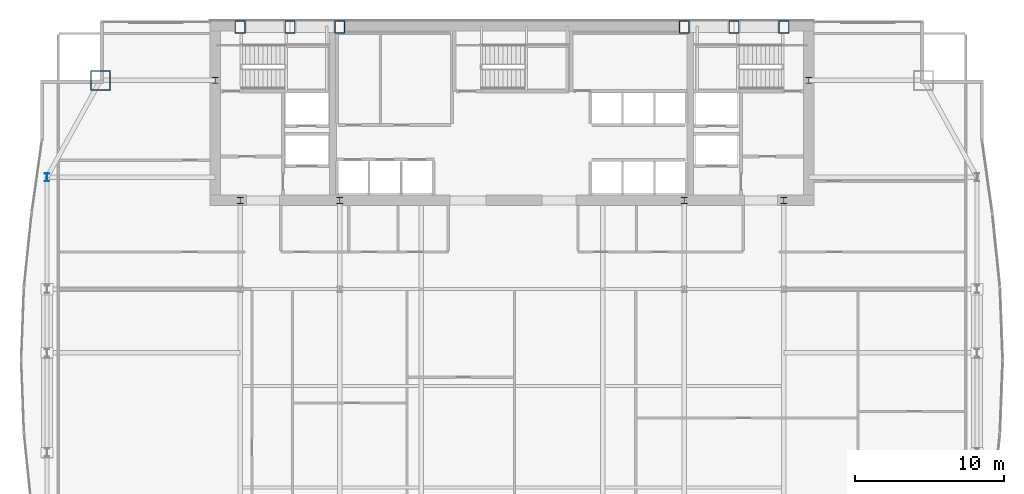
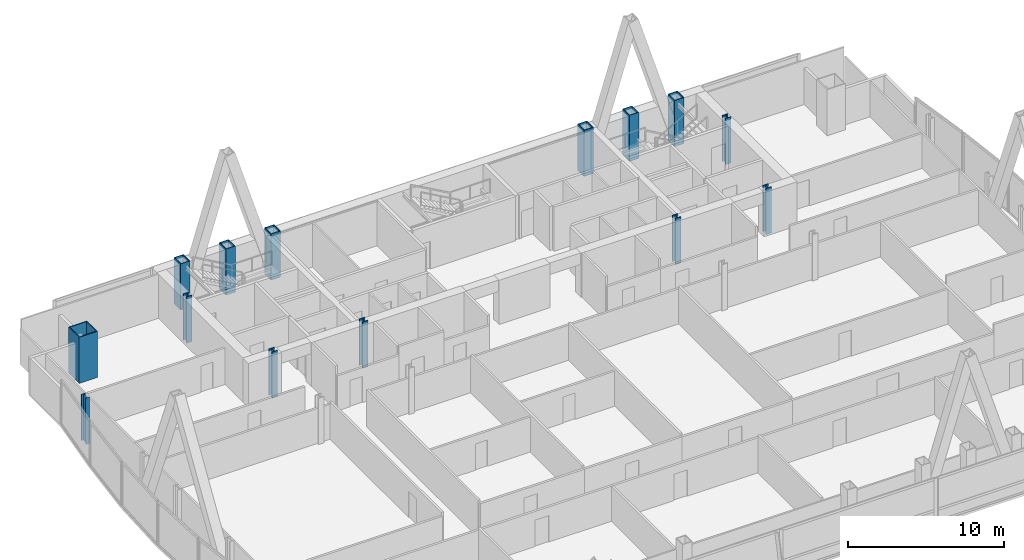
# One storey, part 3 of 30: 14 columns.
"""IFC4 building model written with IfcOpenShell, lengths in metres."""

from ifc_helpers import new_model, si_unit, direction, frame, origin, origin_2d, place, context, subcontext, project, spatial, hollow_rectangle, i_section, extrude, material, material_profile, profile_set, type_object, element, save


model = new_model("IFC4")

# Units and contexts
model_context = context("Model", 3, precision=1e-05, world=origin(), true_north=direction((0.0, 1.0)))
body_context = subcontext(model_context, "Body", "Model", "MODEL_VIEW")
ifc_project = project(units=[si_unit("LENGTHUNIT", "METRE"), si_unit("AREAUNIT", "SQUARE_METRE"), si_unit("VOLUMEUNIT", "CUBIC_METRE"), si_unit("PLANEANGLEUNIT", "RADIAN"), si_unit("MASSUNIT", "GRAM", prefix="KILO")], contexts=[model_context])

# Site, building, storey
site_placement = place(None, origin())
site = spatial("IfcSite", under=ifc_project, at=site_placement, CompositionType="ELEMENT")
building_placement = place(site_placement, origin())
building = spatial("IfcBuilding", under=site, at=building_placement, Name="Khoronbel Lancet Exchange", CompositionType="ELEMENT")
storey_placement = place(building_placement, frame((0.0, 0.0, 147.0)))
storey = spatial("IfcBuildingStorey", under=building, at=storey_placement, Name="L36", CompositionType="ELEMENT", Elevation=147.0)

# Columns
ifc_material_1 = material(Name="Steel S460", Category="steel")
ifc_material_profile_1 = material_profile(ifc_material_1, hollow_rectangle(XDim=0.699951171875, YDim=0.85009765625, WallThickness=0.050048828125, at=origin_2d()), Name="BOX 850x700x50")
ifc_profile_set_1 = profile_set([ifc_material_profile_1], Name="Steel S460")
column_type_1 = type_object("IfcColumnType", Name="COL-EC2", PredefinedType="COLUMN", material=ifc_profile_set_1)
for number, where, z_axis, x_axis, name in (
    (1, (18.22509765625, 53.280029296875, 0.0), (0.0, 0.0, 1.0), (1.0, 0.0, 0.0), "Structural column NC-W1 L36"),
    (2, (21.5625, 53.280029296875, 0.0), (0.0, 0.0, 1.0), (1.0, 0.0, 0.0), "Structural column NC-WM L36"),
    (3, (24.89990234375, 53.280029296875, 0.0), (0.0, 0.0, 1.0), (1.0, 0.0, 0.0), "Structural column NC-W2 L36"),
    (4, (48.0, 53.280029296875, 0.0), (0.0, 0.0, 1.0), (1.0, 0.0, 0.0), "Structural column NC-E1 L36"),
    (5, (51.33740234375, 53.280029296875, 0.0), (0.0, 0.0, 1.0), (1.0, 0.0, 0.0), "Structural column NC-EM L36"),
    (6, (54.675048828125, 53.280029296875, 0.0), (0.0, 0.0, 1.0), (1.0, 0.0, 0.0), "Structural column NC-E2 L36"),
):
    element("IfcColumn", number, at=place(storey_placement, frame(where, z_axis=z_axis, x_axis=x_axis)), inside=storey, type_object=column_type_1, Name=name, PredefinedType="COLUMN", context=body_context, shape_type="SweptSolid", body=[
        extrude(hollow_rectangle(XDim=0.699951171875, YDim=0.85009765625, WallThickness=0.050048828125, at=origin_2d()), origin(), (0.0, 0.0, 1.0), 3.60009765625),
    ])
ifc_material_profile_2 = material_profile(ifc_material_1, i_section(OverallWidth=0.416015625, OverallDepth=0.446044921875, WebThickness=0.0390625, FlangeThickness=0.062744140625, at=origin_2d()), Name="HD 400x509")
ifc_profile_set_2 = profile_set([ifc_material_profile_2], Name="Steel S460")
column_type_2 = type_object("IfcColumnType", Name="COL-IC2", PredefinedType="COLUMN", material=ifc_profile_set_2)
for number, where, z_axis, x_axis, name in (
    (7, (16.550048828125, 49.699951171875, 0.0), (0.0, 0.0, 1.0), (1.0, 0.0, 0.0), "Core-flank plumb transfer column CFW L36"),
    (8, (56.35009765625, 49.699951171875, 0.0), (0.0, 0.0, 1.0), (1.0, 0.0, 0.0), "Core-flank plumb transfer column CFE L36"),
    (9, (18.22509765625, 41.64990234375, 0.0), (0.0, 0.0, 1.0), (1.0, 0.0, 0.0), "Core-embedded steel column CTC1 L36"),
    (10, (24.89990234375, 41.64990234375, 0.0), (0.0, 0.0, 1.0), (1.0, 0.0, 0.0), "Core-embedded steel column CTC2 L36"),
    (11, (48.0, 41.64990234375, 0.0), (0.0, 0.0, 1.0), (1.0, 0.0, 0.0), "Core-embedded steel column CTC3 L36"),
    (12, (54.675048828125, 41.64990234375, 0.0), (0.0, 0.0, 1.0), (1.0, 0.0, 0.0), "Core-embedded steel column CTC4 L36"),
):
    element("IfcColumn", number, at=place(storey_placement, frame(where, z_axis=z_axis, x_axis=x_axis)), inside=storey, type_object=column_type_2, Name=name, PredefinedType="COLUMN", context=body_context, shape_type="SweptSolid", body=[
        extrude(i_section(OverallWidth=0.416015625, OverallDepth=0.446044921875, WebThickness=0.0390625, FlangeThickness=0.062744140625, at=origin_2d()), origin(), (0.0, 0.0, 1.0), 3.60009765625),
    ])
ifc_material_2 = material(Name="Steel S355", Category="steel")
ifc_material_profile_3 = material_profile(ifc_material_2, i_section(OverallWidth=0.300048828125, OverallDepth=0.550048828125, WebThickness=0.014892578125, FlangeThickness=0.029052734375, at=origin_2d()), Name="HEB 550")
ifc_profile_set_3 = profile_set([ifc_material_profile_3], Name="Steel S355")
column_type_3 = type_object("IfcColumnType", Name="COL-LC1", PredefinedType="COLUMN", material=ifc_profile_set_3)
column_1_placement = place(storey_placement, frame((5.27001953125, 43.199951171875, 0.0), z_axis=(0.0, 0.0, 1.0), x_axis=(1.0, 0.0, 0.0)))
element("IfcColumn", 13, at=column_1_placement, inside=storey, type_object=column_type_3, Name="Structural column WC-4 L36", PredefinedType="COLUMN", context=body_context, shape_type="SweptSolid", body=[
    extrude(i_section(OverallWidth=0.300048828125, OverallDepth=0.550048828125, WebThickness=0.014892578125, FlangeThickness=0.029052734375, at=origin_2d()), origin(), (0.0, 0.0, 1.0), 3.60009765625),
])
ifc_material_profile_4 = material_profile(ifc_material_1, hollow_rectangle(XDim=1.35009765625, YDim=1.35009765625, WallThickness=0.06494140625, at=origin_2d()), Name="BOX 1350x1350x65")
ifc_profile_set_4 = profile_set([ifc_material_profile_4], Name="Steel S460")
column_type_4 = type_object("IfcColumnType", Name="COL-MC4", PredefinedType="COLUMN", material=ifc_profile_set_4)
column_2_placement = place(storey_placement, frame((8.85009765625, 49.699951171875, 0.0), z_axis=(0.0, 0.0, 1.0), x_axis=(1.0, 0.0, 0.0)))
element("IfcColumn", 14, at=column_2_placement, inside=storey, type_object=column_type_4, Name="Structural column MC-NW L36", PredefinedType="COLUMN", context=body_context, shape_type="SweptSolid", body=[
    extrude(hollow_rectangle(XDim=1.35009765625, YDim=1.35009765625, WallThickness=0.06494140625, at=origin_2d()), origin(), (0.0, 0.0, 1.0), 3.60009765625),
])

save(model, "model.ifc")
